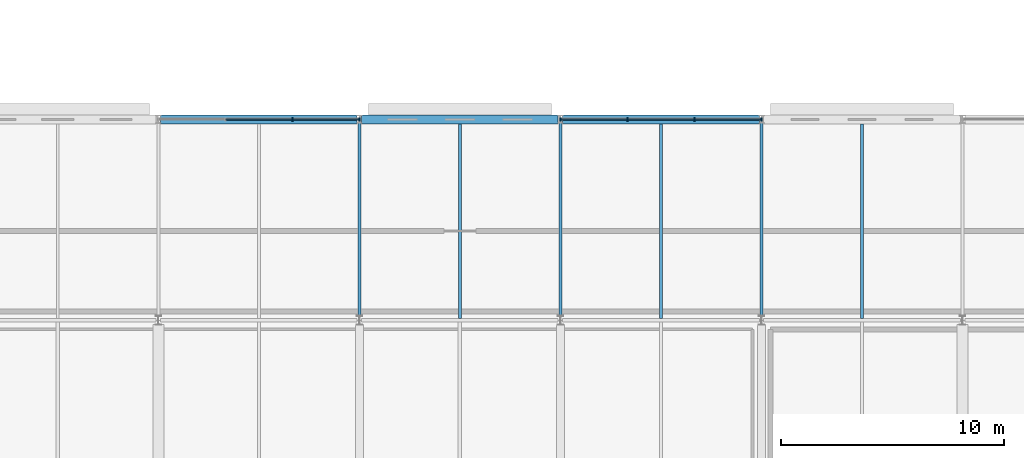
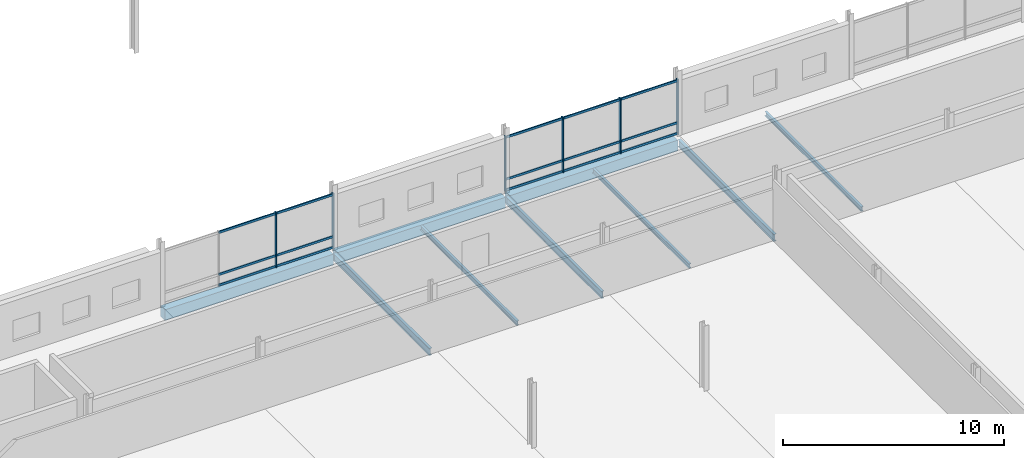
# One storey, part 48 of 132: 21 members, 9 beams, 2 elements without a shape of their own.
"""IFC4 building model written with IfcOpenShell, lengths in metres."""

from ifc_helpers import new_model, si_unit, direction, frame, origin, origin_2d, place, context, subcontext, project, spatial, rectangle, i_section, extrude, material, material_profile, profile_set, type_object, element, aggregate, save


model = new_model("IFC4")

# Units and contexts
model_context = context("Model", 3, precision=1e-05, world=origin(), true_north=direction((0.0, 1.0)))
body_context = subcontext(model_context, "Body", "Model", "MODEL_VIEW")
ifc_project = project(units=[si_unit("LENGTHUNIT", "METRE"), si_unit("AREAUNIT", "SQUARE_METRE"), si_unit("VOLUMEUNIT", "CUBIC_METRE"), si_unit("PLANEANGLEUNIT", "RADIAN"), si_unit("MASSUNIT", "GRAM", prefix="KILO")], contexts=[model_context])

# Site, building, storey
site_placement = place(None, origin())
site = spatial("IfcSite", under=ifc_project, at=site_placement, CompositionType="ELEMENT")
building_placement = place(site_placement, origin())
building = spatial("IfcBuilding", under=site, at=building_placement, Name="Tharagai Park Tramway Depot", CompositionType="ELEMENT")
storey_placement = place(building_placement, frame((0.0, 0.0, 4.800048828125)))
storey = spatial("IfcBuildingStorey", under=building, at=storey_placement, Name="L01", CompositionType="ELEMENT", Elevation=4.800048828125)

# Beams
ifc_material_1 = material(Name="Steel E350", Category="steel")
ifc_material_profile_1 = material_profile(ifc_material_1, i_section(OverallWidth=0.139892578125, OverallDepth=0.39990234375, WebThickness=0.0087890625, FlangeThickness=0.01611328125, FilletRadius=0.013916015625, at=origin_2d()), Name="ISMB 400")
ifc_profile_set_1 = profile_set([ifc_material_profile_1], Name="Steel E350")
beam_type_1 = type_object("IfcBeamType", Name="BM-06", PredefinedType="BEAM", material=ifc_profile_set_1)
for number, where, z_axis, x_axis, name in (
    (1, (27.0, 90.175048828125, -0.380126953125), (0.0, 1.0, 0.0), (-1.0, 0.0, 0.0), "L01 Grid Beam BM-06"),
    (2, (36.0, 90.175048828125, -0.380126953125), (0.0, 1.0, 0.0), (-1.0, 0.0, 0.0), "L01 Grid Beam BM-06"),
    (3, (45.0, 90.175048828125, -0.380126953125), (0.0, 1.0, 0.0), (-1.0, 0.0, 0.0), "L01 Grid Beam BM-06"),
):
    element("IfcBeam", number, at=place(storey_placement, frame(where, z_axis=z_axis, x_axis=x_axis)), inside=storey, type_object=beam_type_1, Name=name, PredefinedType="BEAM", context=body_context, shape_type="SweptSolid", body=[
        extrude(i_section(OverallWidth=0.139892578125, OverallDepth=0.39990234375, WebThickness=0.0087890625, FlangeThickness=0.01611328125, FilletRadius=0.013916015625, at=origin_2d()), origin(), (0.0, 0.0, 1.0), 8.675048828125),
    ])

# Curtain wall, members
ifc_material_2 = material(Name="Anodised aluminium", Category="aluminium")
curtain_wall_type = type_object("IfcCurtainWallType", Name="CW-01", PredefinedType="NOTDEFINED", material=ifc_material_2)
curtain_wall_1_placement = place(storey_placement, origin())
curtain_wall_1 = element("IfcCurtainWall", 4, at=curtain_wall_1_placement, inside=storey, type_object=curtain_wall_type, Name="L01 V1 Gothic Mullioned Curtain Wall CW-01", PredefinedType="NOTDEFINED")
ifc_material_profile_2 = material_profile(ifc_material_2, rectangle(XDim=0.06494140625, YDim=0.1201171875, at=origin_2d()), Name="ALU 65x120")
ifc_profile_set_2 = profile_set([ifc_material_profile_2], Name="Anodised aluminium")
member_type_1 = type_object("IfcMemberType", Name="CM-01", PredefinedType="USERDEFINED", material=ifc_profile_set_2)
member_1_placement = place(storey_placement, frame((21.013671875, 99.0, 0.06005859375), z_axis=(1.0, 0.0, 0.0), x_axis=(0.0, 1.0, 0.0)))
member_1 = element("IfcMember", 5, at=member_1_placement, type_object=member_type_1, Name="L01 V1 Gothic Mullioned Curtain Wall Transom 2.1", ObjectType="TRANSOM", PredefinedType="USERDEFINED", context=body_context, shape_type="SweptSolid", body=[
    extrude(rectangle(XDim=0.06494140625, YDim=0.1201171875, at=origin_2d()), origin(), (0.0, 0.0, 1.0), 2.97265625),
])
member_2_placement = place(storey_placement, frame((21.013671875, 99.0, 0.64990234375), z_axis=(1.0, 0.0, 0.0), x_axis=(0.0, 1.0, 0.0)))
member_2 = element("IfcMember", 6, at=member_2_placement, type_object=member_type_1, Name="L01 V1 Gothic Mullioned Curtain Wall Transom 2.2", ObjectType="TRANSOM", PredefinedType="USERDEFINED", context=body_context, shape_type="SweptSolid", body=[
    extrude(rectangle(XDim=0.06494140625, YDim=0.1201171875, at=origin_2d()), origin(), (0.0, 0.0, 1.0), 2.97265625),
])
member_3_placement = place(storey_placement, frame((21.013671875, 99.0, 2.969970703125), z_axis=(1.0, 0.0, 0.0), x_axis=(0.0, 1.0, 0.0)))
member_3 = element("IfcMember", 7, at=member_3_placement, type_object=member_type_1, Name="L01 V1 Gothic Mullioned Curtain Wall Transom 2.3", ObjectType="TRANSOM", PredefinedType="USERDEFINED", context=body_context, shape_type="SweptSolid", body=[
    extrude(rectangle(XDim=0.06494140625, YDim=0.1201171875, at=origin_2d()), origin(), (0.0, 0.0, 1.0), 2.97265625),
])
member_4_placement = place(storey_placement, frame((24.016357421875, 99.0, 0.06005859375), z_axis=(1.0, 0.0, 0.0), x_axis=(0.0, 1.0, 0.0)))
member_4 = element("IfcMember", 8, at=member_4_placement, type_object=member_type_1, Name="L01 V1 Gothic Mullioned Curtain Wall Transom 3.1", ObjectType="TRANSOM", PredefinedType="USERDEFINED", context=body_context, shape_type="SweptSolid", body=[
    extrude(rectangle(XDim=0.06494140625, YDim=0.1201171875, at=origin_2d()), origin(), (0.0, 0.0, 1.0), 2.97265625),
])
member_5_placement = place(storey_placement, frame((24.016357421875, 99.0, 0.64990234375), z_axis=(1.0, 0.0, 0.0), x_axis=(0.0, 1.0, 0.0)))
member_5 = element("IfcMember", 9, at=member_5_placement, type_object=member_type_1, Name="L01 V1 Gothic Mullioned Curtain Wall Transom 3.2", ObjectType="TRANSOM", PredefinedType="USERDEFINED", context=body_context, shape_type="SweptSolid", body=[
    extrude(rectangle(XDim=0.06494140625, YDim=0.1201171875, at=origin_2d()), origin(), (0.0, 0.0, 1.0), 2.97265625),
])
member_6_placement = place(storey_placement, frame((24.016357421875, 99.0, 2.969970703125), z_axis=(1.0, 0.0, 0.0), x_axis=(0.0, 1.0, 0.0)))
member_6 = element("IfcMember", 10, at=member_6_placement, type_object=member_type_1, Name="L01 V1 Gothic Mullioned Curtain Wall Transom 3.3", ObjectType="TRANSOM", PredefinedType="USERDEFINED", context=body_context, shape_type="SweptSolid", body=[
    extrude(rectangle(XDim=0.06494140625, YDim=0.1201171875, at=origin_2d()), origin(), (0.0, 0.0, 1.0), 2.97265625),
])

curtain_wall_2_placement = place(storey_placement, origin())
curtain_wall_2 = element("IfcCurtainWall", 11, at=curtain_wall_2_placement, inside=storey, type_object=curtain_wall_type, Name="L01 V1 Gothic Mullioned Curtain Wall CW-01", PredefinedType="NOTDEFINED")
member_7_placement = place(storey_placement, frame((36.010986328125, 99.0, 0.06005859375), z_axis=(1.0, 0.0, 0.0), x_axis=(0.0, 1.0, 0.0)))
member_7 = element("IfcMember", 12, at=member_7_placement, type_object=member_type_1, Name="L01 V1 Gothic Mullioned Curtain Wall Transom 1.1", ObjectType="TRANSOM", PredefinedType="USERDEFINED", context=body_context, shape_type="SweptSolid", body=[
    extrude(rectangle(XDim=0.06494140625, YDim=0.1201171875, at=origin_2d()), origin(), (0.0, 0.0, 1.0), 2.97265625),
])
member_8_placement = place(storey_placement, frame((36.010986328125, 99.0, 0.64990234375), z_axis=(1.0, 0.0, 0.0), x_axis=(0.0, 1.0, 0.0)))
member_8 = element("IfcMember", 13, at=member_8_placement, type_object=member_type_1, Name="L01 V1 Gothic Mullioned Curtain Wall Transom 1.2", ObjectType="TRANSOM", PredefinedType="USERDEFINED", context=body_context, shape_type="SweptSolid", body=[
    extrude(rectangle(XDim=0.06494140625, YDim=0.1201171875, at=origin_2d()), origin(), (0.0, 0.0, 1.0), 2.97265625),
])
member_9_placement = place(storey_placement, frame((36.010986328125, 99.0, 2.969970703125), z_axis=(1.0, 0.0, 0.0), x_axis=(0.0, 1.0, 0.0)))
member_9 = element("IfcMember", 14, at=member_9_placement, type_object=member_type_1, Name="L01 V1 Gothic Mullioned Curtain Wall Transom 1.3", ObjectType="TRANSOM", PredefinedType="USERDEFINED", context=body_context, shape_type="SweptSolid", body=[
    extrude(rectangle(XDim=0.06494140625, YDim=0.1201171875, at=origin_2d()), origin(), (0.0, 0.0, 1.0), 2.97265625),
])
member_10_placement = place(storey_placement, frame((39.013671875, 99.0, 0.06005859375), z_axis=(1.0, 0.0, 0.0), x_axis=(0.0, 1.0, 0.0)))
member_10 = element("IfcMember", 15, at=member_10_placement, type_object=member_type_1, Name="L01 V1 Gothic Mullioned Curtain Wall Transom 2.1", ObjectType="TRANSOM", PredefinedType="USERDEFINED", context=body_context, shape_type="SweptSolid", body=[
    extrude(rectangle(XDim=0.06494140625, YDim=0.1201171875, at=origin_2d()), origin(), (0.0, 0.0, 1.0), 2.97265625),
])
member_11_placement = place(storey_placement, frame((39.013671875, 99.0, 0.64990234375), z_axis=(1.0, 0.0, 0.0), x_axis=(0.0, 1.0, 0.0)))
member_11 = element("IfcMember", 16, at=member_11_placement, type_object=member_type_1, Name="L01 V1 Gothic Mullioned Curtain Wall Transom 2.2", ObjectType="TRANSOM", PredefinedType="USERDEFINED", context=body_context, shape_type="SweptSolid", body=[
    extrude(rectangle(XDim=0.06494140625, YDim=0.1201171875, at=origin_2d()), origin(), (0.0, 0.0, 1.0), 2.97265625),
])
member_12_placement = place(storey_placement, frame((39.013671875, 99.0, 2.969970703125), z_axis=(1.0, 0.0, 0.0), x_axis=(0.0, 1.0, 0.0)))
member_12 = element("IfcMember", 17, at=member_12_placement, type_object=member_type_1, Name="L01 V1 Gothic Mullioned Curtain Wall Transom 2.3", ObjectType="TRANSOM", PredefinedType="USERDEFINED", context=body_context, shape_type="SweptSolid", body=[
    extrude(rectangle(XDim=0.06494140625, YDim=0.1201171875, at=origin_2d()), origin(), (0.0, 0.0, 1.0), 2.97265625),
])
member_13_placement = place(storey_placement, frame((42.016357421875, 99.0, 0.06005859375), z_axis=(1.0, 0.0, 0.0), x_axis=(0.0, 1.0, 0.0)))
member_13 = element("IfcMember", 18, at=member_13_placement, type_object=member_type_1, Name="L01 V1 Gothic Mullioned Curtain Wall Transom 3.1", ObjectType="TRANSOM", PredefinedType="USERDEFINED", context=body_context, shape_type="SweptSolid", body=[
    extrude(rectangle(XDim=0.06494140625, YDim=0.1201171875, at=origin_2d()), origin(), (0.0, 0.0, 1.0), 2.97265625),
])
member_14_placement = place(storey_placement, frame((42.016357421875, 99.0, 0.64990234375), z_axis=(1.0, 0.0, 0.0), x_axis=(0.0, 1.0, 0.0)))
member_14 = element("IfcMember", 19, at=member_14_placement, type_object=member_type_1, Name="L01 V1 Gothic Mullioned Curtain Wall Transom 3.2", ObjectType="TRANSOM", PredefinedType="USERDEFINED", context=body_context, shape_type="SweptSolid", body=[
    extrude(rectangle(XDim=0.06494140625, YDim=0.1201171875, at=origin_2d()), origin(), (0.0, 0.0, 1.0), 2.97265625),
])
member_15_placement = place(storey_placement, frame((42.016357421875, 99.0, 2.969970703125), z_axis=(1.0, 0.0, 0.0), x_axis=(0.0, 1.0, 0.0)))
member_15 = element("IfcMember", 20, at=member_15_placement, type_object=member_type_1, Name="L01 V1 Gothic Mullioned Curtain Wall Transom 3.3", ObjectType="TRANSOM", PredefinedType="USERDEFINED", context=body_context, shape_type="SweptSolid", body=[
    extrude(rectangle(XDim=0.06494140625, YDim=0.1201171875, at=origin_2d()), origin(), (0.0, 0.0, 1.0), 2.97265625),
])

# Member
ifc_material_profile_3 = material_profile(ifc_material_2, rectangle(XDim=0.06494140625, YDim=0.14990234375, at=origin_2d()), Name="ALU 65x150")
ifc_profile_set_3 = profile_set([ifc_material_profile_3], Name="Anodised aluminium")
member_type_2 = type_object("IfcMemberType", Name="CM-03", PredefinedType="MULLION", material=ifc_profile_set_3)
member_16_placement = place(storey_placement, frame((24.001220703125, 99.0, -0.005126953125), z_axis=(0.0, 0.0, 1.0), x_axis=(1.0, 0.0, 0.0)))
member_16 = element("IfcMember", 21, at=member_16_placement, type_object=member_type_2, Name="L01 V1 Gothic Mullioned Curtain Wall Mullion 3", PredefinedType="MULLION", context=body_context, shape_type="SweptSolid", body=[
    extrude(rectangle(XDim=0.06494140625, YDim=0.14990234375, at=origin_2d()), origin(), (0.0, 0.0, 1.0), 3.06005859375),
])

member_17_placement = place(storey_placement, frame((27.00390625, 99.0, -0.005126953125), z_axis=(0.0, 0.0, 1.0), x_axis=(1.0, 0.0, 0.0)))
member_17 = element("IfcMember", 22, at=member_17_placement, type_object=member_type_2, Name="L01 V1 Gothic Mullioned Curtain Wall Mullion 4", PredefinedType="MULLION", context=body_context, shape_type="SweptSolid", body=[
    extrude(rectangle(XDim=0.06494140625, YDim=0.14990234375, at=origin_2d()), origin(), (0.0, 0.0, 1.0), 3.06005859375),
])

aggregate(curtain_wall_1, [member_16, member_17, member_1, member_2, member_3, member_4, member_5, member_6])

member_18_placement = place(storey_placement, frame((35.99609375, 99.0, -0.005126953125), z_axis=(0.0, 0.0, 1.0), x_axis=(1.0, 0.0, 0.0)))
member_18 = element("IfcMember", 23, at=member_18_placement, type_object=member_type_2, Name="L01 V1 Gothic Mullioned Curtain Wall Mullion 1", PredefinedType="MULLION", context=body_context, shape_type="SweptSolid", body=[
    extrude(rectangle(XDim=0.06494140625, YDim=0.14990234375, at=origin_2d()), origin(), (0.0, 0.0, 1.0), 3.06005859375),
])

member_19_placement = place(storey_placement, frame((38.998779296875, 99.0, -0.005126953125), z_axis=(0.0, 0.0, 1.0), x_axis=(1.0, 0.0, 0.0)))
member_19 = element("IfcMember", 24, at=member_19_placement, type_object=member_type_2, Name="L01 V1 Gothic Mullioned Curtain Wall Mullion 2", PredefinedType="MULLION", context=body_context, shape_type="SweptSolid", body=[
    extrude(rectangle(XDim=0.06494140625, YDim=0.14990234375, at=origin_2d()), origin(), (0.0, 0.0, 1.0), 3.06005859375),
])

member_20_placement = place(storey_placement, frame((42.001220703125, 99.0, -0.005126953125), z_axis=(0.0, 0.0, 1.0), x_axis=(1.0, 0.0, 0.0)))
member_20 = element("IfcMember", 25, at=member_20_placement, type_object=member_type_2, Name="L01 V1 Gothic Mullioned Curtain Wall Mullion 3", PredefinedType="MULLION", context=body_context, shape_type="SweptSolid", body=[
    extrude(rectangle(XDim=0.06494140625, YDim=0.14990234375, at=origin_2d()), origin(), (0.0, 0.0, 1.0), 3.06005859375),
])

member_21_placement = place(storey_placement, frame((45.00390625, 99.0, -0.005126953125), z_axis=(0.0, 0.0, 1.0), x_axis=(1.0, 0.0, 0.0)))
member_21 = element("IfcMember", 26, at=member_21_placement, type_object=member_type_2, Name="L01 V1 Gothic Mullioned Curtain Wall Mullion 4", PredefinedType="MULLION", context=body_context, shape_type="SweptSolid", body=[
    extrude(rectangle(XDim=0.06494140625, YDim=0.14990234375, at=origin_2d()), origin(), (0.0, 0.0, 1.0), 3.06005859375),
])

aggregate(curtain_wall_2, [member_18, member_19, member_20, member_21, member_7, member_8, member_9, member_10, member_11, member_12, member_13, member_14, member_15])

# Beams
ifc_material_3 = material(Name="Steel E250", Category="steel")
ifc_material_profile_4 = material_profile(ifc_material_3, i_section(OverallWidth=0.125, OverallDepth=0.25, WebThickness=0.0068359375, FlangeThickness=0.012451171875, FilletRadius=0.012939453125, at=origin_2d()), Name="ISMB 250")
ifc_profile_set_4 = profile_set([ifc_material_profile_4], Name="Steel E250")
beam_type_2 = type_object("IfcBeamType", Name="JT-02", PredefinedType="JOIST", material=ifc_profile_set_4)
for number, where, z_axis, x_axis, name in (
    (27, (31.5, 90.074951171875, -0.304931640625), (0.0, 1.0, 0.0), (-1.0, 0.0, 0.0), "L01 Secondary Joist JT-02"),
    (28, (40.5, 90.074951171875, -0.304931640625), (0.0, 1.0, 0.0), (-1.0, 0.0, 0.0), "L01 Secondary Joist JT-02"),
    (29, (49.5, 90.074951171875, -0.304931640625), (0.0, 1.0, 0.0), (-1.0, 0.0, 0.0), "L01 Secondary Joist JT-02"),
):
    element("IfcBeam", number, at=place(storey_placement, frame(where, z_axis=z_axis, x_axis=x_axis)), inside=storey, type_object=beam_type_2, Name=name, PredefinedType="JOIST", context=body_context, shape_type="SweptSolid", body=[
        extrude(i_section(OverallWidth=0.125, OverallDepth=0.25, WebThickness=0.0068359375, FlangeThickness=0.012451171875, FilletRadius=0.012939453125, at=origin_2d()), origin(), (0.0, 0.0, 1.0), 8.72509765625),
    ])
ifc_material_4 = material(Name="Concrete M35", Category="concrete")
ifc_material_profile_5 = material_profile(ifc_material_4, rectangle(XDim=0.39990234375, YDim=0.60009765625, at=origin_2d()), Name="RC 400x600")
ifc_profile_set_5 = profile_set([ifc_material_profile_5], Name="Concrete M35")
beam_type_3 = type_object("IfcBeamType", Name="SP-02", PredefinedType="SPANDREL", material=ifc_profile_set_5)
for number, where, z_axis, x_axis, name in (
    (30, (18.10009765625, 99.0, -0.47998046875), (1.0, 0.0, 0.0), (0.0, 1.0, 0.0), "L01 Grid Beam SP-02"),
    (31, (27.10009765625, 99.0, -0.47998046875), (1.0, 0.0, 0.0), (0.0, 1.0, 0.0), "L01 Grid Beam SP-02"),
    (32, (36.10009765625, 99.0, -0.47998046875), (1.0, 0.0, 0.0), (0.0, 1.0, 0.0), "L01 Grid Beam SP-02"),
):
    element("IfcBeam", number, at=place(storey_placement, frame(where, z_axis=z_axis, x_axis=x_axis)), inside=storey, type_object=beam_type_3, Name=name, PredefinedType="SPANDREL", context=body_context, shape_type="SweptSolid", body=[
        extrude(rectangle(XDim=0.39990234375, YDim=0.60009765625, at=origin_2d()), origin(), (0.0, 0.0, 1.0), 8.7998046875),
    ])

save(model, "model.ifc")
